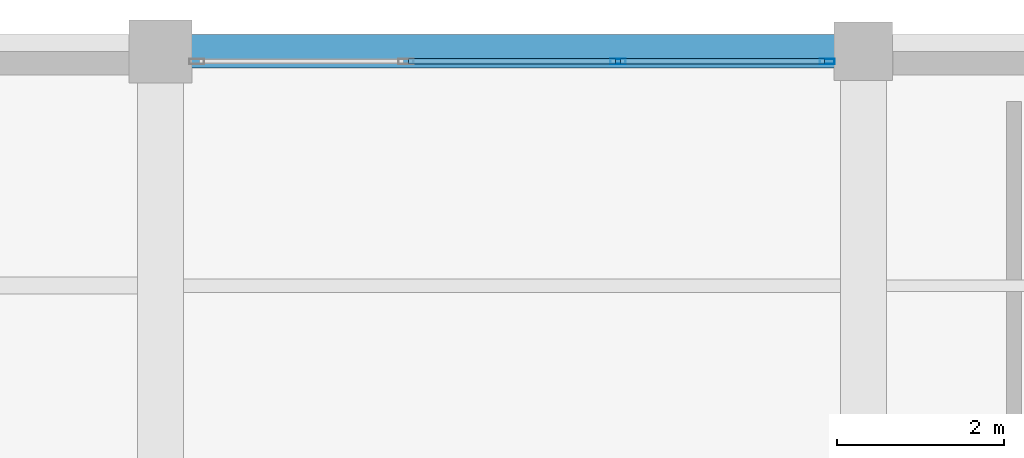
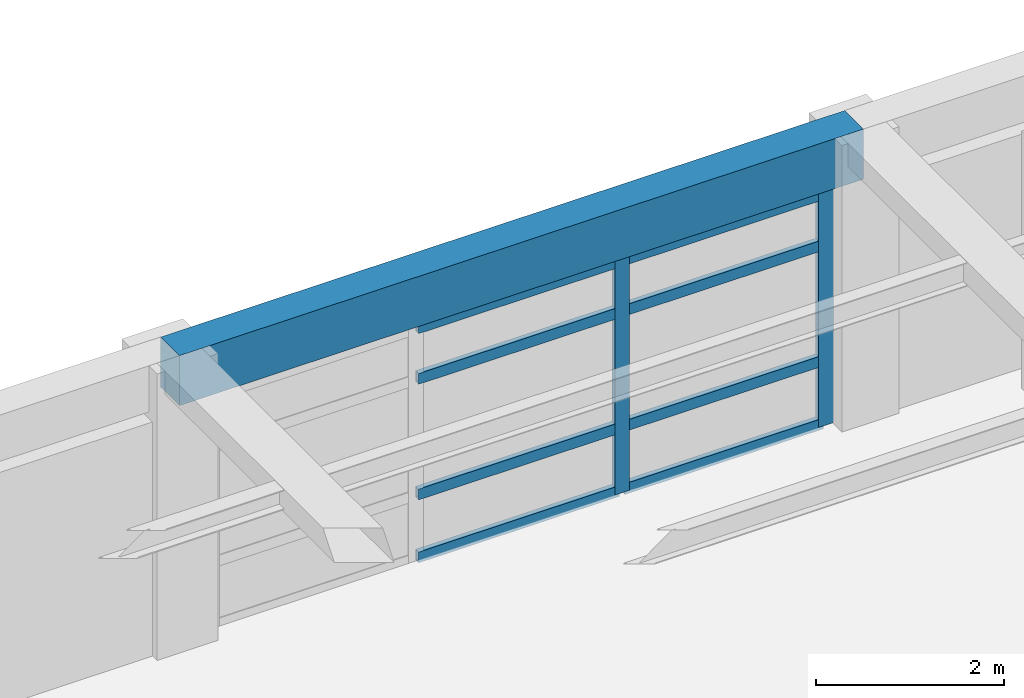
# One storey, part 19 of 26: 10 members, 1 beam, 1 element without a shape of its own.
"""IFC4 building model written with IfcOpenShell, lengths in metres."""

from ifc_helpers import new_model, si_unit, direction, frame, origin, origin_2d, place, context, subcontext, project, spatial, rectangle, hollow_rectangle, extrude, material, material_profile, profile_set, type_object, element, aggregate, save


model = new_model("IFC4")

# Units and contexts
model_context = context("Model", 3, precision=1e-05, world=origin(), true_north=direction((0.0, 1.0)))
body_context = subcontext(model_context, "Body", "Model", "MODEL_VIEW")
ifc_project = project(units=[si_unit("LENGTHUNIT", "METRE"), si_unit("AREAUNIT", "SQUARE_METRE"), si_unit("VOLUMEUNIT", "CUBIC_METRE"), si_unit("PLANEANGLEUNIT", "RADIAN"), si_unit("MASSUNIT", "GRAM", prefix="KILO")], contexts=[model_context])

# Site, building, storey
site_placement = place(None, origin())
site = spatial("IfcSite", under=ifc_project, at=site_placement, CompositionType="ELEMENT")
building_placement = place(site_placement, origin())
building = spatial("IfcBuilding", under=site, at=building_placement, Name="Almacenes y Pasaje Nevantli", CompositionType="ELEMENT")
storey_placement = place(building_placement, frame((0.0, 0.0, 30.699951171875)))
storey = spatial("IfcBuildingStorey", under=building, at=storey_placement, Name="L07", CompositionType="ELEMENT", Elevation=30.699951171875)

# Beam
ifc_material_1 = material(Name="Concrete C35/45", Category="concrete")
ifc_material_profile_1 = material_profile(ifc_material_1, rectangle(XDim=0.39990234375, YDim=0.64990234375, at=origin_2d()), Name="RC-BM-400x650")
ifc_profile_set_1 = profile_set([ifc_material_profile_1], Name="Concrete C35/45")
beam_type = type_object("IfcBeamType", Name="BM-RC-400x650", PredefinedType="SPANDREL", material=ifc_profile_set_1)
beam_placement = place(storey_placement, frame((134.39990234375, 100.800048828125, 3.39501953125), z_axis=(1.0, 0.0, 0.0), x_axis=(0.0, 1.0, 0.0)))
element("IfcBeam", 1, at=beam_placement, inside=storey, type_object=beam_type, Name="L07 East-West Reinforced Concrete Beam #3656", PredefinedType="SPANDREL", context=body_context, shape_type="SweptSolid", body=[
    extrude(rectangle(XDim=0.39990234375, YDim=0.64990234375, at=origin_2d()), origin(), (0.0, 0.0, 1.0), 8.400146484375),
])

# Curtain wall, members
ifc_material_2 = material(Name="Thermally Broken Aluminium and Low-E Glass", Category="aluminium")
curtain_wall_type = type_object("IfcCurtainWallType", Name="CW-UNIT-TOWER", PredefinedType="USERDEFINED", material=ifc_material_2)
curtain_wall_placement = place(storey_placement, origin())
curtain_wall = element("IfcCurtainWall", 2, at=curtain_wall_placement, inside=storey, type_object=curtain_wall_type, Name="L07 Tower North Boulevard Unitized Curtain Wall Bay 17", ObjectType="UNITIZED CURTAIN WALL", PredefinedType="USERDEFINED")
ifc_material_3 = material(Name="Thermally Broken Anodized Aluminium", Category="aluminium")
ifc_material_profile_2 = material_profile(ifc_material_3, hollow_rectangle(XDim=0.06494140625, YDim=0.179931640625, WallThickness=0.00390625, at=origin_2d()), Name="ALU-MUL-65x180")
ifc_profile_set_2 = profile_set([ifc_material_profile_2], Name="Thermally Broken Anodized Aluminium")
member_type_1 = type_object("IfcMemberType", Name="CW-MUL-200", PredefinedType="MULLION", material=ifc_profile_set_2)
member_1_placement = place(storey_placement, frame((139.86669921875, 100.679931640625, 0.0), z_axis=(0.0, 0.0, 1.0), x_axis=(0.0, 1.0, 0.0)))
member_1 = element("IfcMember", 3, at=member_1_placement, type_object=member_type_1, Name="CW-L07-114 mullion 3", PredefinedType="MULLION", context=body_context, shape_type="SweptSolid", body=[
    extrude(hollow_rectangle(XDim=0.06494140625, YDim=0.179931640625, WallThickness=0.00390625, at=origin_2d()), origin(), (0.0, 0.0, 1.0), 3.0400390625),
])
member_2_placement = place(storey_placement, frame((142.367431640625, 100.679931640625, 0.0), z_axis=(0.0, 0.0, 1.0), x_axis=(0.0, 1.0, 0.0)))
member_2 = element("IfcMember", 4, at=member_2_placement, type_object=member_type_1, Name="CW-L07-114 mullion 4", PredefinedType="MULLION", context=body_context, shape_type="SweptSolid", body=[
    extrude(hollow_rectangle(XDim=0.06494140625, YDim=0.179931640625, WallThickness=0.00390625, at=origin_2d()), origin(), (0.0, 0.0, 1.0), 3.0400390625),
])
ifc_material_4 = material(Name="Thermally Broken Anodized Aluminium", Category="aluminium")
ifc_material_profile_3 = material_profile(ifc_material_4, hollow_rectangle(XDim=0.06494140625, YDim=0.139892578125, WallThickness=0.00390625, at=origin_2d()), Name="ALU-TRN-65x140")
ifc_profile_set_3 = profile_set([ifc_material_profile_3], Name="Thermally Broken Anodized Aluminium")
member_type_2 = type_object("IfcMemberType", Name="CW-TRN-150", PredefinedType="USERDEFINED", material=ifc_profile_set_3)
member_3_placement = place(storey_placement, frame((137.36572265625, 100.679931640625, 0.032470703125), z_axis=(1.0, 0.0, 0.0), x_axis=(0.0, 1.0, 0.0)))
member_3 = element("IfcMember", 5, at=member_3_placement, type_object=member_type_2, Name="CW-L07-114 transom 2.1", ObjectType="TRANSOM", PredefinedType="USERDEFINED", context=body_context, shape_type="SweptSolid", body=[
    extrude(hollow_rectangle(XDim=0.06494140625, YDim=0.139892578125, WallThickness=0.00390625, at=origin_2d()), origin(), (0.0, 0.0, 1.0), 2.468505859375),
])
member_4_placement = place(storey_placement, frame((137.36572265625, 100.679931640625, 0.85009765625), z_axis=(1.0, 0.0, 0.0), x_axis=(0.0, 1.0, 0.0)))
member_4 = element("IfcMember", 6, at=member_4_placement, type_object=member_type_2, Name="CW-L07-114 transom 2.2", ObjectType="TRANSOM", PredefinedType="USERDEFINED", context=body_context, shape_type="SweptSolid", body=[
    extrude(hollow_rectangle(XDim=0.06494140625, YDim=0.139892578125, WallThickness=0.00390625, at=origin_2d()), origin(), (0.0, 0.0, 1.0), 2.468505859375),
])
member_5_placement = place(storey_placement, frame((137.36572265625, 100.679931640625, 2.35009765625), z_axis=(1.0, 0.0, 0.0), x_axis=(0.0, 1.0, 0.0)))
member_5 = element("IfcMember", 7, at=member_5_placement, type_object=member_type_2, Name="CW-L07-114 transom 2.3", ObjectType="TRANSOM", PredefinedType="USERDEFINED", context=body_context, shape_type="SweptSolid", body=[
    extrude(hollow_rectangle(XDim=0.06494140625, YDim=0.139892578125, WallThickness=0.00390625, at=origin_2d()), origin(), (0.0, 0.0, 1.0), 2.468505859375),
])
member_6_placement = place(storey_placement, frame((137.36572265625, 100.679931640625, 3.007568359375), z_axis=(1.0, 0.0, 0.0), x_axis=(0.0, 1.0, 0.0)))
member_6 = element("IfcMember", 8, at=member_6_placement, type_object=member_type_2, Name="CW-L07-114 transom 2.4", ObjectType="TRANSOM", PredefinedType="USERDEFINED", context=body_context, shape_type="SweptSolid", body=[
    extrude(hollow_rectangle(XDim=0.06494140625, YDim=0.139892578125, WallThickness=0.00390625, at=origin_2d()), origin(), (0.0, 0.0, 1.0), 2.468505859375),
])
member_7_placement = place(storey_placement, frame((139.899169921875, 100.679931640625, 0.032470703125), z_axis=(1.0, 0.0, 0.0), x_axis=(0.0, 1.0, 0.0)))
member_7 = element("IfcMember", 9, at=member_7_placement, type_object=member_type_2, Name="CW-L07-114 transom 3.1", ObjectType="TRANSOM", PredefinedType="USERDEFINED", context=body_context, shape_type="SweptSolid", body=[
    extrude(hollow_rectangle(XDim=0.06494140625, YDim=0.139892578125, WallThickness=0.00390625, at=origin_2d()), origin(), (0.0, 0.0, 1.0), 2.435791015625),
])
member_8_placement = place(storey_placement, frame((139.899169921875, 100.679931640625, 0.85009765625), z_axis=(1.0, 0.0, 0.0), x_axis=(0.0, 1.0, 0.0)))
member_8 = element("IfcMember", 10, at=member_8_placement, type_object=member_type_2, Name="CW-L07-114 transom 3.2", ObjectType="TRANSOM", PredefinedType="USERDEFINED", context=body_context, shape_type="SweptSolid", body=[
    extrude(hollow_rectangle(XDim=0.06494140625, YDim=0.139892578125, WallThickness=0.00390625, at=origin_2d()), origin(), (0.0, 0.0, 1.0), 2.435791015625),
])
member_9_placement = place(storey_placement, frame((139.899169921875, 100.679931640625, 2.35009765625), z_axis=(1.0, 0.0, 0.0), x_axis=(0.0, 1.0, 0.0)))
member_9 = element("IfcMember", 11, at=member_9_placement, type_object=member_type_2, Name="CW-L07-114 transom 3.3", ObjectType="TRANSOM", PredefinedType="USERDEFINED", context=body_context, shape_type="SweptSolid", body=[
    extrude(hollow_rectangle(XDim=0.06494140625, YDim=0.139892578125, WallThickness=0.00390625, at=origin_2d()), origin(), (0.0, 0.0, 1.0), 2.435791015625),
])
member_10_placement = place(storey_placement, frame((139.899169921875, 100.679931640625, 3.007568359375), z_axis=(1.0, 0.0, 0.0), x_axis=(0.0, 1.0, 0.0)))
member_10 = element("IfcMember", 12, at=member_10_placement, type_object=member_type_2, Name="CW-L07-114 transom 3.4", ObjectType="TRANSOM", PredefinedType="USERDEFINED", context=body_context, shape_type="SweptSolid", body=[
    extrude(hollow_rectangle(XDim=0.06494140625, YDim=0.139892578125, WallThickness=0.00390625, at=origin_2d()), origin(), (0.0, 0.0, 1.0), 2.435791015625),
])
aggregate(curtain_wall, [member_1, member_2, member_3, member_4, member_5, member_6, member_7, member_8, member_9, member_10])

save(model, "model.ifc")
